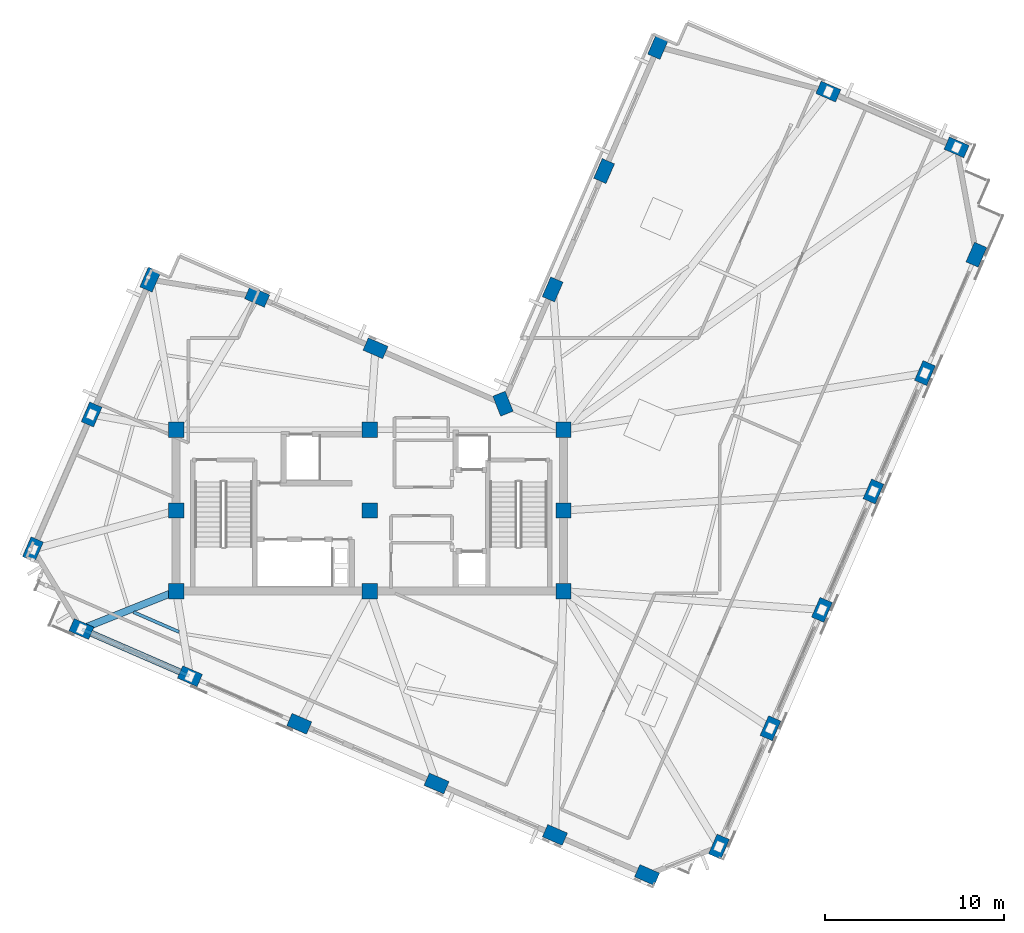
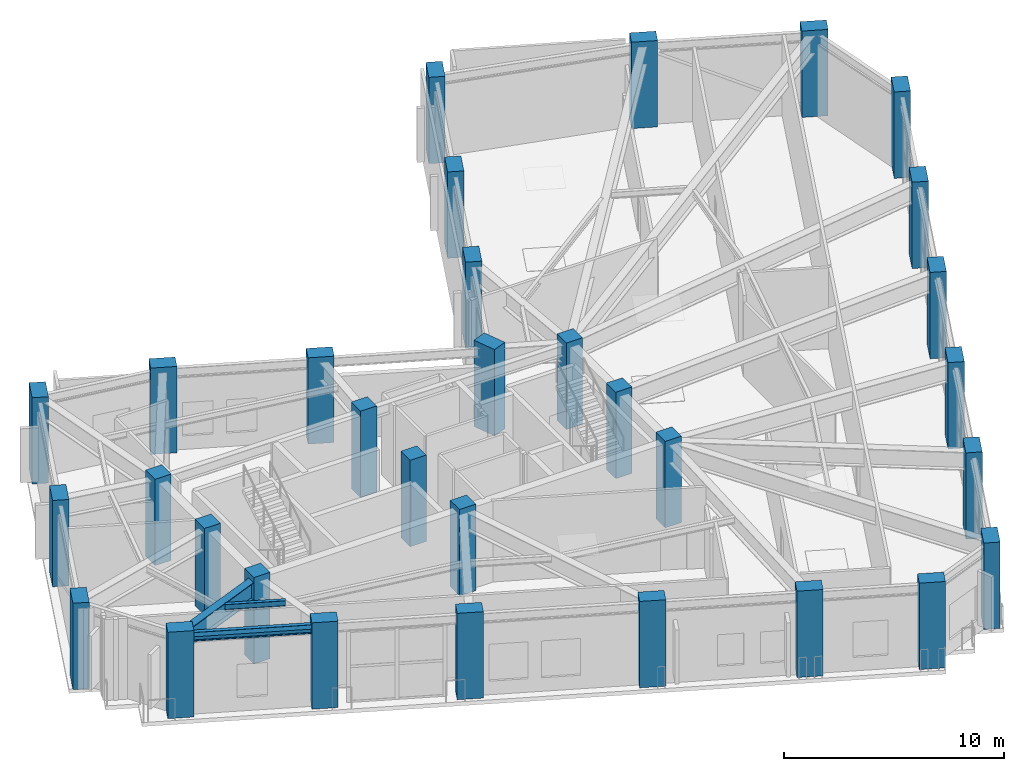
# One storey, part 1 of 16: 32 columns, 3 beams, 1 member.
"""IFC4 building model written with IfcOpenShell, lengths in metres."""

from ifc_helpers import new_model, si_unit, direction, frame, origin, origin_2d, place, context, subcontext, project, spatial, rectangle, hollow_rectangle, i_section, extrude, material, material_profile, profile_set, type_object, element, save


model = new_model("IFC4")

# Units and contexts
model_context = context("Model", 3, precision=1e-05, world=origin(), true_north=direction((0.0, 1.0)))
body_context = subcontext(model_context, "Body", "Model", "MODEL_VIEW")
ifc_project = project(units=[si_unit("LENGTHUNIT", "METRE"), si_unit("AREAUNIT", "SQUARE_METRE"), si_unit("VOLUMEUNIT", "CUBIC_METRE"), si_unit("PLANEANGLEUNIT", "RADIAN"), si_unit("MASSUNIT", "GRAM", prefix="KILO")], contexts=[model_context])

# Site, building, storey
site_placement = place(None, origin())
site = spatial("IfcSite", under=ifc_project, at=site_placement, CompositionType="ELEMENT")
building_placement = place(site_placement, origin())
building = spatial("IfcBuilding", under=site, at=building_placement, Name="Gaonmaruhae Medical Tower", CompositionType="ELEMENT")
storey_placement = place(building_placement, frame((0.0, 0.0, 333.39990234375)))
storey = spatial("IfcBuildingStorey", under=building, at=storey_placement, Name="L80", CompositionType="ELEMENT", Elevation=333.39990234375)

# Columns
ifc_material_1 = material(Name="Concrete C50/60", Category="concrete")
ifc_material_profile_1 = material_profile(ifc_material_1, rectangle(XDim=0.85009765625, YDim=0.85009765625, at=origin_2d()), Name="RC-850x850")
ifc_profile_set_1 = profile_set([ifc_material_profile_1], Name="Concrete C50/60")
column_type_1 = type_object("IfcColumnType", Name="CC-06 Upper Core Column (RC-850x850)", PredefinedType="COLUMN", material=ifc_profile_set_1)
for number, where, z_axis, x_axis, name in (
    (1, (14.0, 7.800048828125, 0.0), (0.0, 0.0, 1.0), (1.0, 0.0, 0.0), "L80 Plumb Core Column CC11"),
    (2, (14.0, 12.300048828125, 0.0), (0.0, 0.0, 1.0), (1.0, 0.0, 0.0), "L80 Plumb Core Column CC12"),
    (3, (14.0, 16.800048828125, 0.0), (0.0, 0.0, 1.0), (1.0, 0.0, 0.0), "L80 Plumb Core Column CC13"),
    (4, (24.800048828125, 7.800048828125, 0.0), (0.0, 0.0, 1.0), (1.0, 0.0, 0.0), "L80 Plumb Core Column CC21"),
    (5, (24.800048828125, 12.300048828125, 0.0), (0.0, 0.0, 1.0), (1.0, 0.0, 0.0), "L80 Plumb Core Column CC22"),
    (6, (24.800048828125, 16.800048828125, 0.0), (0.0, 0.0, 1.0), (1.0, 0.0, 0.0), "L80 Plumb Core Column CC23"),
    (7, (35.60009765625, 7.800048828125, 0.0), (0.0, 0.0, 1.0), (1.0, 0.0, 0.0), "L80 Plumb Core Column CC31"),
    (8, (35.60009765625, 12.300048828125, 0.0), (0.0, 0.0, 1.0), (1.0, 0.0, 0.0), "L80 Plumb Core Column CC32"),
    (9, (35.60009765625, 16.800048828125, 0.0), (0.0, 0.0, 1.0), (1.0, 0.0, 0.0), "L80 Plumb Core Column CC33"),
):
    element("IfcColumn", number, at=place(storey_placement, frame(where, z_axis=z_axis, x_axis=x_axis)), inside=storey, type_object=column_type_1, Name=name, PredefinedType="COLUMN", context=body_context, shape_type="SweptSolid", body=[
        extrude(rectangle(XDim=0.85009765625, YDim=0.85009765625, at=origin_2d()), origin(), (0.0, 0.0, 1.0), 4.800048828125),
    ])
ifc_material_profile_2 = material_profile(ifc_material_1, rectangle(XDim=1.199951171875, YDim=0.75, at=origin_2d()), Name="RC-1200x750")
ifc_profile_set_2 = profile_set([ifc_material_profile_2], Name="Concrete C50/60")
column_type_2 = type_object("IfcColumnType", Name="TC-03 Upper Raking Tube Pier Column (RC-1200x750)", PredefinedType="COLUMN", material=ifc_profile_set_2)
for number, where, z_axis, x_axis, name in (
    (10, (44.275146484375, -6.448486328125, 0.001953125), (0.0, 0.0, 1.0), (0.398749068925, 0.917060074385, 0.0), "L80 Perimeter Tube Column S01"),
    (11, (47.14599609375, 0.154296875, 0.001953125), (0.0, 0.0, 1.0), (0.398749068925, 0.917060074385, 0.0), "L80 Perimeter Tube Column S02"),
    (12, (50.01708984375, 6.75732421875, 0.001953125), (0.0, 0.0, 1.0), (0.398749068925, 0.917060074385, 0.0), "L80 Perimeter Tube Column S03"),
    (13, (52.88818359375, 13.360107421875, 0.001953125), (0.0, 0.0, 1.0), (0.398749068925, 0.917060074385, 0.0), "L80 Perimeter Tube Column S04"),
    (14, (55.759033203125, 19.962890625, 0.001953125), (0.0, 0.0, 1.0), (0.398749068925, 0.917060074385, 0.0), "L80 Perimeter Tube Column S05"),
    (15, (58.630126953125, 26.565673828125, 0.001953125), (0.0, 0.0, 1.0), (0.398749068925, 0.917060074385, 0.0), "L80 Perimeter Tube Column S06"),
    (16, (57.525634765625, 32.552734375, 0.001953125), (0.0, 0.0, 1.0), (-0.917060074385, 0.398749068925, 0.0), "L80 Perimeter Tube Column E01"),
    (17, (50.372802734375, 35.662841796875, 0.001953125), (0.0, 0.0, 1.0), (-0.917060074385, 0.398749068925, 0.0), "L80 Perimeter Tube Column E02"),
    (18, (40.879150390625, 38.155029296875, 0.001953125), (0.0, 0.0, 1.0), (0.398749068925, 0.917060074385, 0.0), "L80 Perimeter Tube Column E03"),
    (19, (37.868408203125, 31.2314453125, 0.001953125), (0.0, 0.0, 1.0), (0.398749068925, 0.917060074385, 0.0), "L80 Perimeter Tube Column EN01"),
    (20, (34.99755859375, 24.62841796875, 0.001953125), (0.0, 0.0, 1.0), (0.398749068925, 0.917060074385, 0.0), "L80 Perimeter Tube Column EN02"),
    (21, (32.226318359375, 18.2548828125, 0.001953125), (0.0, 0.0, 1.0), (-0.366501226724, 0.930417567982, 0.0), "L80 Perimeter Tube Column KN01"),
    (22, (25.118896484375, 21.34521484375, 0.001953125), (0.0, 0.0, 1.0), (-0.917060074385, 0.398749068925, 0.0), "L80 Perimeter Tube Column NE01"),
    (23, (18.51611328125, 24.21630859375, 0.001953125), (0.0, 0.0, 1.0), (-0.917060074385, 0.398749068925, 0.0), "L80 Perimeter Tube Column NE02"),
    (24, (12.55322265625, 25.17333984375, 0.001953125), (0.0, 0.0, 1.0), (0.398749068925, 0.917060074385, 0.0), "L80 Perimeter Tube Column N01"),
    (25, (9.283447265625, 17.653564453125, 0.001953125), (0.0, 0.0, 1.0), (0.398749068925, 0.917060074385, 0.0), "L80 Perimeter Tube Column N02"),
    (26, (6.013671875, 10.133544921875, 0.001953125), (0.0, 0.0, 1.0), (0.398749068925, 0.917060074385, 0.0), "L80 Perimeter Tube Column N03"),
    (27, (8.715087890625, 5.687744140625, 0.001953125), (0.0, 0.0, 1.0), (-0.917060074385, 0.398749068925, 0.0), "L80 Perimeter Tube Column W01"),
    (28, (14.767578125, 3.055908203125, 0.001953125), (0.0, 0.0, 1.0), (-0.917060074385, 0.398749068925, 0.0), "L80 Perimeter Tube Column W02"),
    (29, (20.865966796875, 0.404296875, 0.001953125), (0.0, 0.0, 1.0), (-0.917060074385, 0.398749068925, 0.0), "L80 Perimeter Tube Column W03"),
    (30, (28.5234375, -2.92529296875, 0.001953125), (0.0, 0.0, 1.0), (-0.917060074385, 0.398749068925, 0.0), "L80 Perimeter Tube Column W04"),
    (31, (35.12646484375, -5.79638671875, 0.001953125), (0.0, 0.0, 1.0), (-0.917060074385, 0.398749068925, 0.0), "L80 Perimeter Tube Column W05"),
    (32, (40.261962890625, -8.029296875, 0.001953125), (0.0, 0.0, 1.0), (-0.917060074385, 0.398749068925, 0.0), "L80 Perimeter Tube Column W06"),
):
    element("IfcColumn", number, at=place(storey_placement, frame(where, z_axis=z_axis, x_axis=x_axis)), inside=storey, type_object=column_type_2, Name=name, PredefinedType="COLUMN", context=body_context, shape_type="SweptSolid", body=[
        extrude(rectangle(XDim=1.199951171875, YDim=0.75, at=origin_2d()), origin(), (0.0, 0.0, 1.0), 4.79638671875),
    ])

# Beams
ifc_material_2 = material(Name="Steel SM420", Category="steel")
ifc_material_profile_3 = material_profile(ifc_material_2, i_section(OverallWidth=0.39990234375, OverallDepth=1.0, WebThickness=0.02197265625, FlangeThickness=0.035888671875, at=origin_2d()), Name="BH-1000x400x22x36")
ifc_profile_set_3 = profile_set([ifc_material_profile_3], Name="Steel SM420")
beam_type_1 = type_object("IfcBeamType", Name="BG-02 Refuge Floor Primary Girder (BH-1000x400x22x36)", PredefinedType="BEAM", material=ifc_profile_set_3)
beam_1_placement = place(storey_placement, frame((13.95361328125, 7.781494140625, 4.0), z_axis=(-0.928579037594, -0.371134707272, 0.0), x_axis=(0.371134707272, -0.928579037594, 0.0)))
element("IfcBeam", 33, at=beam_1_placement, inside=storey, type_object=beam_type_1, Name="L80 Radial Primary Girder W01", PredefinedType="BEAM", context=body_context, shape_type="SweptSolid", body=[
    extrude(i_section(OverallWidth=0.39990234375, OverallDepth=1.0, WebThickness=0.02197265625, FlangeThickness=0.035888671875, at=origin_2d()), origin(), (0.0, 0.0, 1.0), 5.591552734375),
])
ifc_material_3 = material(Name="Steel SM355", Category="steel")
ifc_material_profile_4 = material_profile(ifc_material_3, i_section(OverallWidth=0.175048828125, OverallDepth=0.35009765625, WebThickness=0.007080078125, FlangeThickness=0.010986328125, FilletRadius=0.012939453125, at=origin_2d()), Name="H-350x175x7x11")
ifc_profile_set_4 = profile_set([ifc_material_profile_4], Name="Steel SM355")
beam_type_2 = type_object("IfcBeamType", Name="FJ-02 Upper Zone Ward Floor Joist (H-350x175x7x11)", PredefinedType="JOIST", material=ifc_profile_set_4)
beam_2_placement = place(storey_placement, frame((11.62109375, 6.629150390625, 4.3251953125), z_axis=(0.917075663277, -0.398713215012, 0.0), x_axis=(0.398713215012, 0.917075663277, 0.0)))
element("IfcBeam", 34, at=beam_2_placement, inside=storey, type_object=beam_type_2, Name="L80 Secondary Floor Joist FJ15", PredefinedType="JOIST", context=body_context, shape_type="SweptSolid", body=[
    extrude(i_section(OverallWidth=0.175048828125, OverallDepth=0.35009765625, WebThickness=0.007080078125, FlangeThickness=0.010986328125, FilletRadius=0.012939453125, at=origin_2d()), origin(), (0.0, 0.0, 1.0), 2.768798828125),
])

# Member
ifc_material_profile_5 = material_profile(ifc_material_3, hollow_rectangle(XDim=0.199951171875, YDim=0.300048828125, WallThickness=0.011962890625, at=origin_2d()), Name="RHS-300x200x12")
ifc_profile_set_5 = profile_set([ifc_material_profile_5], Name="Steel SM355")
member_type = type_object("IfcMemberType", Name="PR-01 Observation Canopy Roof Purlin (RHS-300x200x12)", PredefinedType="PURLIN", material=ifc_profile_set_5)
member_placement = place(storey_placement, frame((8.715087890625, 5.687744140625, 4.34521484375), z_axis=(0.917052412425, -0.398766689764, 0.0), x_axis=(0.159007846262, 0.36567379561, 0.917060074385)))
element("IfcMember", 35, at=member_placement, inside=storey, type_object=member_type, Name="L80 Observation Deck Canopy Purlin PR05", PredefinedType="PURLIN", context=body_context, shape_type="SweptSolid", body=[
    extrude(hollow_rectangle(XDim=0.199951171875, YDim=0.300048828125, WallThickness=0.011962890625, at=origin_2d()), origin(), (0.0, 0.0, 1.0), 6.599853515625),
])

# Beam
ifc_material_profile_6 = material_profile(ifc_material_3, i_section(OverallWidth=0.199951171875, OverallDepth=0.5, WebThickness=0.010009765625, FlangeThickness=0.01611328125, FilletRadius=0.012939453125, at=origin_2d()), Name="H-500x200x10x16")
ifc_profile_set_6 = profile_set([ifc_material_profile_6], Name="Steel SM355")
beam_type_3 = type_object("IfcBeamType", Name="SP-02 Upper Perimeter Spandrel Beam (H-500x200x10x16)", PredefinedType="SPANDREL", material=ifc_profile_set_6)
beam_3_placement = place(storey_placement, frame((8.751708984375, 5.671630859375, 4.25), z_axis=(0.917059935749, -0.398749387767, 0.0), x_axis=(0.398749387767, 0.917059935749, 0.0)))
element("IfcBeam", 36, at=beam_3_placement, inside=storey, type_object=beam_type_3, Name="L80 Perimeter Spandrel Beam W01-W02", PredefinedType="SPANDREL", context=body_context, shape_type="SweptSolid", body=[
    extrude(i_section(OverallWidth=0.199951171875, OverallDepth=0.5, WebThickness=0.010009765625, FlangeThickness=0.01611328125, FilletRadius=0.012939453125, at=origin_2d()), origin(), (0.0, 0.0, 1.0), 6.52001953125),
])

save(model, "model.ifc")
